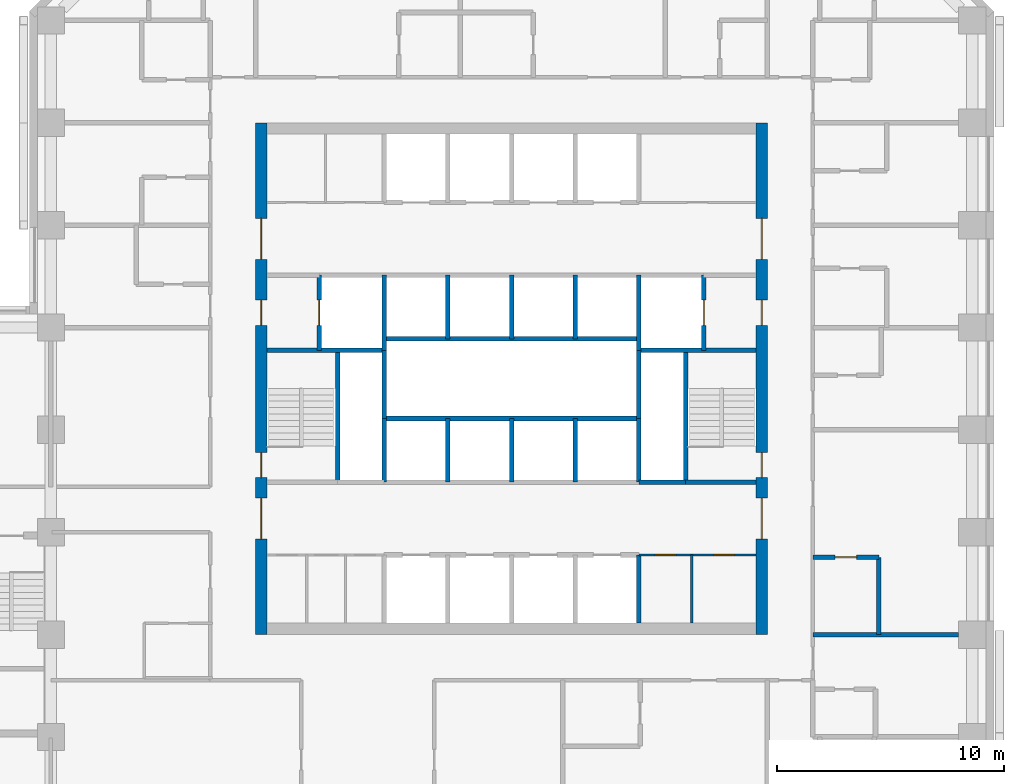
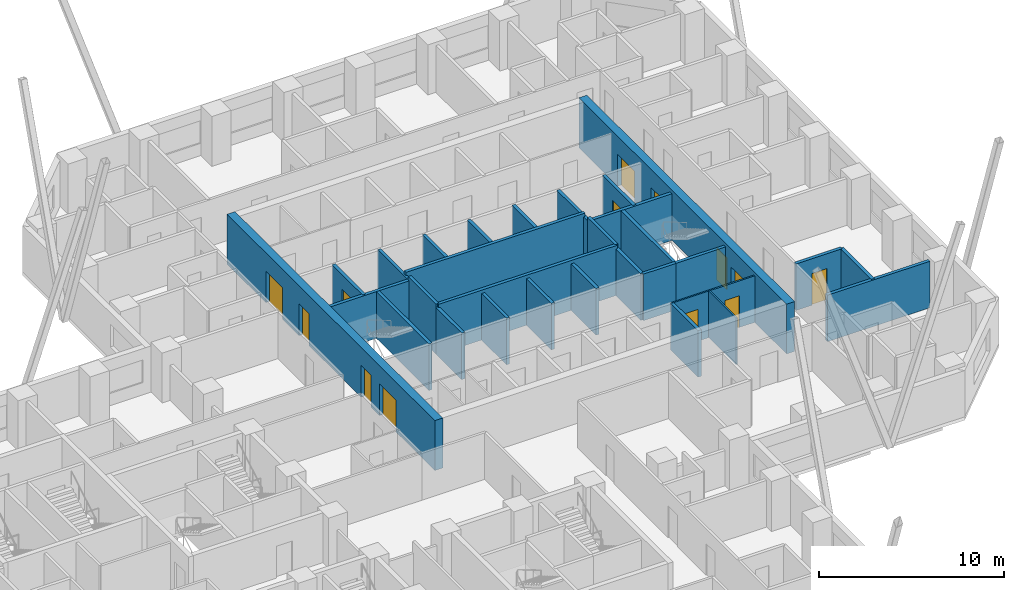
# One storey, part 9 of 13: 30 walls, 13 doors, 13 openings.
"""IFC4 building model written with IfcOpenShell, lengths in metres."""

from ifc_helpers import new_model, si_unit, direction, frame, frame_2d, origin, place, context, subcontext, project, spatial, rectangle, extrude, material, layer, layer_set, type_object, element, fill, save


model = new_model("IFC4")

# Units and contexts
model_context = context("Model", 3, precision=1e-05, world=origin(), true_north=direction((0.0, 1.0)))
body_context = subcontext(model_context, "Body", "Model", "MODEL_VIEW")
ifc_project = project(units=[si_unit("LENGTHUNIT", "METRE"), si_unit("AREAUNIT", "SQUARE_METRE"), si_unit("VOLUMEUNIT", "CUBIC_METRE"), si_unit("PLANEANGLEUNIT", "RADIAN"), si_unit("MASSUNIT", "GRAM", prefix="KILO")], contexts=[model_context])

# Site, building, storey
site_placement = place(None, origin())
site = spatial("IfcSite", under=ifc_project, at=site_placement, CompositionType="ELEMENT")
building_placement = place(site_placement, origin())
building = spatial("IfcBuilding", under=site, at=building_placement, Name="Quoin Convention Tower", CompositionType="ELEMENT")
storey_placement = place(building_placement, frame((0.0, 0.0, 52.800048828125)))
storey = spatial("IfcBuildingStorey", under=building, at=storey_placement, Name="L13", CompositionType="ELEMENT", Elevation=52.800048828125)

# Wall, openings, doors
ifc_material_1 = material(Name="Plasterboard")
ifc_layer_1 = layer(ifc_material_1, 0.012451171875, Name="Finish")
ifc_material_2 = material(Name="Steel stud framing", Category="steel")
ifc_layer_2 = layer(ifc_material_2, 0.074951171875, Name="Structure")
ifc_layer_3 = layer(ifc_material_1, 0.012451171875, Name="Finish")
ifc_layer_set_1 = layer_set([ifc_layer_1, ifc_layer_2, ifc_layer_3], Name="Steel stud framing")
wall_type_1 = type_object("IfcWallType", Name="Core partition wall", PredefinedType="PARTITIONING", material=ifc_layer_set_1)
wall_1_placement = place(storey_placement, frame((61.85009765625, 53.0, 0.0), z_axis=(0.0, 0.0, 1.0), x_axis=(1.0, 0.0, 0.0)))
wall_1 = element("IfcWall", 1, at=wall_1_placement, inside=storey, type_object=wall_type_1, Name="cr-C1-L13-h3500_16850", PredefinedType="PARTITIONING", context=body_context, shape_type="SweptSolid", body=[
    extrude(rectangle(XDim=5.14990234375, YDim=0.10009765625, at=frame_2d((2.574951171875, 0.0))), origin(), (0.0, 0.0, 1.0), 3.079833984375),
])
opening_1_placement = place(wall_1_placement, frame((3.28369140625, 0.0, 0.0)))
opening_1 = element("IfcOpeningElement", 2, at=opening_1_placement, cuts=wall_1, Name="Opening DCV5-22", PredefinedType="OPENING", context=body_context, shape_type="SweptSolid", body=[
    extrude(rectangle(XDim=0.89990234375, YDim=2.10009765625, at=frame_2d((0.449951171875, 1.050048828125))), frame((0.0, 0.06005859375, 0.0), z_axis=(0.0, -1.0, 0.0), x_axis=(1.0, 0.0, 0.0)), (0.0, 0.0, 1.0), 0.1201171875),
])
opening_2_placement = place(wall_1_placement, frame((0.708740234375, 0.0, 0.0)))
opening_2 = element("IfcOpeningElement", 3, at=opening_2_placement, cuts=wall_1, Name="Opening DCV5-20", PredefinedType="OPENING", context=body_context, shape_type="SweptSolid", body=[
    extrude(rectangle(XDim=0.89990234375, YDim=2.10009765625, at=frame_2d((0.449951171875, 1.050048828125))), frame((0.0, 0.06005859375, 0.0), z_axis=(0.0, -1.0, 0.0), x_axis=(1.0, 0.0, 0.0)), (0.0, 0.0, 1.0), 0.1201171875),
])
ifc_material_3 = material(Name="Steel door leaf", Category="steel")
door_type_1 = type_object("IfcDoorType", Name="Core room door 900 x 2100", OperationType="SINGLE_SWING_LEFT", PredefinedType="DOOR", material=ifc_material_3)
door_1_placement = place(opening_1_placement, frame((0.89990234375, 0.0, 0.0), z_axis=(0.0, 0.0, 1.0), x_axis=(-1.0, 0.0, 0.0)))
door_1 = element("IfcDoor", 4, at=door_1_placement, inside=storey, type_object=door_type_1, Name="cd-C1-L13-CSE0-lobA-CD1310", OperationType="SINGLE_SWING_LEFT", OverallHeight=2.10009765625, OverallWidth=0.89990234375, PredefinedType="DOOR", context=body_context, shape_type="SweptSolid", body=[
    extrude(rectangle(XDim=0.89990234375, YDim=2.10009765625, at=frame_2d((0.449951171875, 1.050048828125))), frame((0.0, 0.02490234375, 0.0), z_axis=(0.0, -1.0, 0.0), x_axis=(1.0, 0.0, 0.0)), (0.0, 0.0, 1.0), 0.050048828125),
])
fill(opening_1, door_1)
door_2_placement = place(opening_2_placement, frame((0.89990234375, 0.0, 0.0), z_axis=(0.0, 0.0, 1.0), x_axis=(-1.0, 0.0, 0.0)))
door_2 = element("IfcDoor", 5, at=door_2_placement, inside=storey, type_object=door_type_1, Name="cd-C1-L13-CSE1-lobA-CD1311", OperationType="SINGLE_SWING_RIGHT", OverallHeight=2.10009765625, OverallWidth=0.89990234375, PredefinedType="DOOR", context=body_context, shape_type="SweptSolid", body=[
    extrude(rectangle(XDim=0.89990234375, YDim=2.10009765625, at=frame_2d((0.449951171875, 1.050048828125))), frame((0.0, 0.02490234375, 0.0), z_axis=(0.0, -1.0, 0.0), x_axis=(1.0, 0.0, 0.0)), (0.0, 0.0, 1.0), 0.050048828125),
])
fill(opening_2, door_2)

# Walls
wall_2_placement = place(storey_placement, frame((64.16748046875, 50.0, 0.0), z_axis=(0.0, 0.0, 1.0), x_axis=(0.0, 1.0, 0.0)))
element("IfcWall", 6, at=wall_2_placement, inside=storey, type_object=wall_type_1, Name="cr-C1-L13-v19168_500", PredefinedType="PARTITIONING", context=body_context, shape_type="SweptSolid", body=[
    extrude(rectangle(XDim=3.0, YDim=0.10009765625, at=frame_2d((1.5, 0.0))), origin(), (0.0, 0.0, 1.0), 3.079833984375),
])
ifc_material_4 = material(Name="Concrete C50", Category="concrete")
ifc_layer_4 = layer(ifc_material_4, 0.199951171875)
ifc_layer_set_2 = layer_set([ifc_layer_4], Name="Concrete C50")
wall_type_2 = type_object("IfcWallType", Name="Core shaft wall", PredefinedType="SOLIDWALL", material=ifc_layer_set_2)
wall_3_placement = place(storey_placement, frame((61.85009765625, 56.199951171875, 0.0), z_axis=(0.0, 0.0, 1.0), x_axis=(1.0, 0.0, 0.0)))
element("IfcWall", 7, at=wall_3_placement, inside=storey, type_object=wall_type_2, Name="cr-C1-L13-h6700_16850", PredefinedType="SOLIDWALL", context=body_context, shape_type="SweptSolid", body=[
    extrude(rectangle(XDim=2.0498046875, YDim=0.199951171875, at=frame_2d((1.02490234375, 0.0))), origin(), (0.0, 0.0, 1.0), 3.079833984375),
])
wall_4_placement = place(storey_placement, frame((63.89990234375, 56.199951171875, 0.0), z_axis=(0.0, 0.0, 1.0), x_axis=(1.0, 0.0, 0.0)))
element("IfcWall", 8, at=wall_4_placement, inside=storey, type_object=wall_type_2, Name="cr-C1-L13-h6700_18900", PredefinedType="SOLIDWALL", context=body_context, shape_type="SweptSolid", body=[
    extrude(rectangle(XDim=3.10009765625, YDim=0.199951171875, at=frame_2d((1.550048828125, 0.0))), origin(), (0.0, 0.0, 1.0), 3.079833984375),
])
for number, where, z_axis, x_axis, name in (
    (9, (45.5, 62.0, 0.0), (0.0, 0.0, 1.0), (1.0, 0.0, 0.0), "cr-C1-L13-h12500_500"),
    (10, (61.85009765625, 62.0, 0.0), (0.0, 0.0, 1.0), (1.0, 0.0, 0.0), "cr-C1-L13-h12500_16850"),
):
    element("IfcWall", number, at=place(storey_placement, frame(where, z_axis=z_axis, x_axis=x_axis)), inside=storey, type_object=wall_type_2, Name=name, PredefinedType="SOLIDWALL", context=body_context, shape_type="SweptSolid", body=[
        extrude(rectangle(XDim=5.14990234375, YDim=0.199951171875, at=frame_2d((2.574951171875, 0.0))), origin(), (0.0, 0.0, 1.0), 3.079833984375),
    ])

# Wall, opening, door
wall_5_placement = place(storey_placement, frame((47.800048828125, 62.0, 0.0), z_axis=(0.0, 0.0, 1.0), x_axis=(0.0, 1.0, 0.0)))
wall_5 = element("IfcWall", 11, at=wall_5_placement, inside=storey, type_object=wall_type_2, Name="cr-C1-L13-v2800_12500", PredefinedType="SOLIDWALL", context=body_context, shape_type="SweptSolid", body=[
    extrude(rectangle(XDim=3.300048828125, YDim=0.199951171875, at=frame_2d((1.64990234375, 0.0))), origin(), (0.0, 0.0, 1.0), 3.079833984375),
])
opening_3_placement = place(wall_5_placement, frame((1.10009765625, 0.0, 0.0)))
opening_3 = element("IfcOpeningElement", 12, at=opening_3_placement, cuts=wall_5, Name="Opening LDFL1", PredefinedType="OPENING", context=body_context, shape_type="SweptSolid", body=[
    extrude(rectangle(XDim=1.10009765625, YDim=2.10009765625, at=frame_2d((0.550048828125, 1.050048828125))), frame((0.0, 0.10986328125, 0.0), z_axis=(0.0, -1.0, 0.0), x_axis=(1.0, 0.0, 0.0)), (0.0, 0.0, 1.0), 0.219970703125),
])
door_type_2 = type_object("IfcDoorType", Name="Lift landing door 1100 x 2100", OperationType="DOUBLE_DOOR_SLIDING", PredefinedType="DOOR", material=ifc_material_3)
door_3_placement = place(opening_3_placement, origin())
door_3 = element("IfcDoor", 13, at=door_3_placement, inside=storey, type_object=door_type_2, Name="cd-C1-L13-FLW-FFW-LDFL1", OperationType="DOUBLE_DOOR_SLIDING", OverallHeight=2.10009765625, OverallWidth=1.10009765625, PredefinedType="DOOR", context=body_context, shape_type="SweptSolid", body=[
    extrude(rectangle(XDim=1.10009765625, YDim=2.10009765625, at=frame_2d((0.550048828125, 1.050048828125))), frame((0.0, 0.02490234375, 0.0), z_axis=(0.0, -1.0, 0.0), x_axis=(1.0, 0.0, 0.0)), (0.0, 0.0, 1.0), 0.050048828125),
])
fill(opening_3, door_3)

# Walls
wall_6_placement = place(storey_placement, frame((48.60009765625, 56.199951171875, 0.0), z_axis=(0.0, 0.0, 1.0), x_axis=(0.0, 1.0, 0.0)))
element("IfcWall", 14, at=wall_6_placement, inside=storey, type_object=wall_type_2, Name="cr-C1-L13-v3600_6700", PredefinedType="SOLIDWALL", context=body_context, shape_type="SweptSolid", body=[
    extrude(rectangle(XDim=5.800048828125, YDim=0.199951171875, at=frame_2d((2.89990234375, 0.0))), origin(), (0.0, 0.0, 1.0), 3.079833984375),
])
wall_7_placement = place(storey_placement, frame((50.64990234375, 56.199951171875, 0.0), z_axis=(0.0, 0.0, 1.0), x_axis=(0.0, 1.0, 0.0)))
element("IfcWall", 15, at=wall_7_placement, inside=storey, type_object=wall_type_2, Name="cr-C1-L13-v5650_6700", PredefinedType="SOLIDWALL", context=body_context, shape_type="SweptSolid", body=[
    extrude(rectangle(XDim=2.800048828125, YDim=0.199951171875, at=frame_2d((1.39990234375, 0.0))), origin(), (0.0, 0.0, 1.0), 3.079833984375),
])
wall_8_placement = place(storey_placement, frame((50.64990234375, 62.0, 0.0), z_axis=(0.0, 0.0, 1.0), x_axis=(0.0, 1.0, 0.0)))
element("IfcWall", 16, at=wall_8_placement, inside=storey, type_object=wall_type_2, Name="cr-C1-L13-v5650_12500", PredefinedType="SOLIDWALL", context=body_context, shape_type="SweptSolid", body=[
    extrude(rectangle(XDim=3.300048828125, YDim=0.199951171875, at=frame_2d((1.64990234375, 0.0))), origin(), (0.0, 0.0, 1.0), 3.079833984375),
])
for number, where, z_axis, x_axis, name in (
    (17, (53.449951171875, 56.199951171875, 0.0), (0.0, 0.0, 1.0), (0.0, 1.0, 0.0), "cr-C1-L13-v8450_6700"),
    (18, (53.449951171875, 62.5, 0.0), (0.0, 0.0, 1.0), (0.0, 1.0, 0.0), "cr-C1-L13-v8450_13000"),
    (19, (56.25, 56.199951171875, 0.0), (0.0, 0.0, 1.0), (0.0, 1.0, 0.0), "cr-C1-L13-v11250_6700"),
    (20, (56.25, 62.5, 0.0), (0.0, 0.0, 1.0), (0.0, 1.0, 0.0), "cr-C1-L13-v11250_13000"),
    (21, (59.050048828125, 56.199951171875, 0.0), (0.0, 0.0, 1.0), (0.0, 1.0, 0.0), "cr-C1-L13-v14050_6700"),
    (22, (59.050048828125, 62.5, 0.0), (0.0, 0.0, 1.0), (0.0, 1.0, 0.0), "cr-C1-L13-v14050_13000"),
):
    element("IfcWall", number, at=place(storey_placement, frame(where, z_axis=z_axis, x_axis=x_axis)), inside=storey, type_object=wall_type_2, Name=name, PredefinedType="SOLIDWALL", context=body_context, shape_type="SweptSolid", body=[
        extrude(rectangle(XDim=2.800048828125, YDim=0.199951171875, at=frame_2d((1.39990234375, 0.0))), origin(), (0.0, 0.0, 1.0), 3.079833984375),
    ])
wall_9_placement = place(storey_placement, frame((61.85009765625, 50.0, 0.0), z_axis=(0.0, 0.0, 1.0), x_axis=(0.0, 1.0, 0.0)))
element("IfcWall", 23, at=wall_9_placement, inside=storey, type_object=wall_type_2, Name="cr-C1-L13-v16850_500", PredefinedType="SOLIDWALL", context=body_context, shape_type="SweptSolid", body=[
    extrude(rectangle(XDim=3.0, YDim=0.199951171875, at=frame_2d((1.5, 0.0))), origin(), (0.0, 0.0, 1.0), 3.079833984375),
])
wall_10_placement = place(storey_placement, frame((61.85009765625, 56.199951171875, 0.0), z_axis=(0.0, 0.0, 1.0), x_axis=(0.0, 1.0, 0.0)))
element("IfcWall", 24, at=wall_10_placement, inside=storey, type_object=wall_type_2, Name="cr-C1-L13-v16850_6700", PredefinedType="SOLIDWALL", context=body_context, shape_type="SweptSolid", body=[
    extrude(rectangle(XDim=2.800048828125, YDim=0.199951171875, at=frame_2d((1.39990234375, 0.0))), origin(), (0.0, 0.0, 1.0), 3.079833984375),
])
wall_11_placement = place(storey_placement, frame((61.85009765625, 62.0, 0.0), z_axis=(0.0, 0.0, 1.0), x_axis=(0.0, 1.0, 0.0)))
element("IfcWall", 25, at=wall_11_placement, inside=storey, type_object=wall_type_2, Name="cr-C1-L13-v16850_12500", PredefinedType="SOLIDWALL", context=body_context, shape_type="SweptSolid", body=[
    extrude(rectangle(XDim=3.300048828125, YDim=0.199951171875, at=frame_2d((1.64990234375, 0.0))), origin(), (0.0, 0.0, 1.0), 3.079833984375),
])
wall_12_placement = place(storey_placement, frame((63.89990234375, 56.199951171875, 0.0), z_axis=(0.0, 0.0, 1.0), x_axis=(0.0, 1.0, 0.0)))
element("IfcWall", 26, at=wall_12_placement, inside=storey, type_object=wall_type_2, Name="cr-C1-L13-v18900_6700", PredefinedType="SOLIDWALL", context=body_context, shape_type="SweptSolid", body=[
    extrude(rectangle(XDim=5.800048828125, YDim=0.199951171875, at=frame_2d((2.89990234375, 0.0))), origin(), (0.0, 0.0, 1.0), 3.079833984375),
])

# Wall, opening, door
wall_13_placement = place(storey_placement, frame((64.699951171875, 62.0, 0.0), z_axis=(0.0, 0.0, 1.0), x_axis=(0.0, 1.0, 0.0)))
wall_13 = element("IfcWall", 27, at=wall_13_placement, inside=storey, type_object=wall_type_2, Name="cr-C1-L13-v19700_12500", PredefinedType="SOLIDWALL", context=body_context, shape_type="SweptSolid", body=[
    extrude(rectangle(XDim=3.300048828125, YDim=0.199951171875, at=frame_2d((1.64990234375, 0.0))), origin(), (0.0, 0.0, 1.0), 3.079833984375),
])
opening_4_placement = place(wall_13_placement, frame((1.10009765625, 0.0, 0.0)))
opening_4 = element("IfcOpeningElement", 28, at=opening_4_placement, cuts=wall_13, Name="Opening LDFL2", PredefinedType="OPENING", context=body_context, shape_type="SweptSolid", body=[
    extrude(rectangle(XDim=1.10009765625, YDim=2.10009765625, at=frame_2d((0.550048828125, 1.050048828125))), frame((0.0, 0.10986328125, 0.0), z_axis=(0.0, -1.0, 0.0), x_axis=(1.0, 0.0, 0.0)), (0.0, 0.0, 1.0), 0.219970703125),
])
door_4_placement = place(opening_4_placement, origin())
door_4 = element("IfcDoor", 29, at=door_4_placement, inside=storey, type_object=door_type_2, Name="cd-C1-L13-FLE-FFE-LDFL2", OperationType="DOUBLE_DOOR_SLIDING", OverallHeight=2.10009765625, OverallWidth=1.10009765625, PredefinedType="DOOR", context=body_context, shape_type="SweptSolid", body=[
    extrude(rectangle(XDim=1.10009765625, YDim=2.10009765625, at=frame_2d((0.550048828125, 1.050048828125))), frame((0.0, 0.02490234375, 0.0), z_axis=(0.0, -1.0, 0.0), x_axis=(1.0, 0.0, 0.0)), (0.0, 0.0, 1.0), 0.050048828125),
])
fill(opening_4, door_4)

# Walls
ifc_layer_5 = layer(ifc_material_4, 0.199951171875)
ifc_layer_set_3 = layer_set([ifc_layer_5], Name="Concrete C50")
wall_type_3 = type_object("IfcWallType", Name="Core shaft wall to the floor level over", PredefinedType="SOLIDWALL", material=ifc_layer_set_3)
for number, where, z_axis, x_axis, name in (
    (30, (50.64990234375, 59.0, 0.0), (0.0, 0.0, 1.0), (1.0, 0.0, 0.0), "cr-C1-L13-h9500_5650"),
    (31, (50.64990234375, 62.5, 0.0), (0.0, 0.0, 1.0), (1.0, 0.0, 0.0), "cr-C1-L13-h13000_5650"),
):
    element("IfcWall", number, at=place(storey_placement, frame(where, z_axis=z_axis, x_axis=x_axis)), inside=storey, type_object=wall_type_3, Name=name, PredefinedType="SOLIDWALL", context=body_context, shape_type="SweptSolid", body=[
        extrude(rectangle(XDim=11.2001953125, YDim=0.199951171875, at=frame_2d((5.60009765625, 0.0))), origin(), (0.0, 0.0, 1.0), 3.300048828125),
    ])
for number, where, z_axis, x_axis, name in (
    (32, (50.64990234375, 59.0, 0.0), (0.0, 0.0, 1.0), (0.0, 1.0, 0.0), "cr-C1-L13-v5650_9500"),
    (33, (61.85009765625, 59.0, 0.0), (0.0, 0.0, 1.0), (0.0, 1.0, 0.0), "cr-C1-L13-v16850_9500"),
):
    element("IfcWall", number, at=place(storey_placement, frame(where, z_axis=z_axis, x_axis=x_axis)), inside=storey, type_object=wall_type_3, Name=name, PredefinedType="SOLIDWALL", context=body_context, shape_type="SweptSolid", body=[
        extrude(rectangle(XDim=3.0, YDim=0.199951171875, at=frame_2d((1.5, 0.0))), origin(), (0.0, 0.0, 1.0), 3.300048828125),
    ])

# Wall, openings, doors
ifc_material_5 = material(Name="Concrete C80", Category="concrete")
ifc_layer_6 = layer(ifc_material_5, 0.5)
ifc_layer_set_4 = layer_set([ifc_layer_6], Name="Concrete C80")
wall_type_4 = type_object("IfcWallType", Name="RC CORE WALL 500 C80", PredefinedType="SHEAR", material=ifc_layer_set_4)
wall_14_placement = place(storey_placement, frame((45.25, 49.5, 0.0), z_axis=(0.0, 0.0, 1.0), x_axis=(0.0, 1.0, 0.0)))
wall_14 = element("IfcWall", 34, at=wall_14_placement, inside=storey, type_object=wall_type_4, Name="cwl-C1-L13-W", PredefinedType="SHEAR", context=body_context, shape_type="SweptSolid", body=[
    extrude(rectangle(XDim=22.5, YDim=0.5, at=frame_2d((11.25, 0.0))), origin(), (0.0, 0.0, 1.0), 3.300048828125),
])
opening_5_placement = place(wall_14_placement, frame((4.199951171875, 0.0, 0.0)))
opening_5 = element("IfcOpeningElement", 35, at=opening_5_placement, cuts=wall_14, Name="Opening DCV5-50", PredefinedType="OPENING", context=body_context, shape_type="SweptSolid", body=[
    extrude(rectangle(XDim=1.800048828125, YDim=2.10009765625, at=frame_2d((0.89990234375, 1.050048828125))), frame((0.0, 0.260009765625, 0.0), z_axis=(0.0, -1.0, 0.0), x_axis=(1.0, 0.0, 0.0)), (0.0, 0.0, 1.0), 0.52001953125),
])
opening_6_placement = place(wall_14_placement, frame((6.89990234375, 0.0, 0.0)))
opening_6 = element("IfcOpeningElement", 36, at=opening_6_placement, cuts=wall_14, Name="Opening SD1", PredefinedType="OPENING", context=body_context, shape_type="SweptSolid", body=[
    extrude(rectangle(XDim=1.10009765625, YDim=2.10009765625, at=frame_2d((0.550048828125, 1.050048828125))), frame((0.0, 0.260009765625, 0.0), z_axis=(0.0, -1.0, 0.0), x_axis=(1.0, 0.0, 0.0)), (0.0, 0.0, 1.0), 0.52001953125),
])
opening_7_placement = place(wall_14_placement, frame((13.60009765625, 0.0, 0.0)))
opening_7 = element("IfcOpeningElement", 37, at=opening_7_placement, cuts=wall_14, Name="Opening DCV5-49", PredefinedType="OPENING", context=body_context, shape_type="SweptSolid", body=[
    extrude(rectangle(XDim=1.10009765625, YDim=2.10009765625, at=frame_2d((0.550048828125, 1.050048828125))), frame((0.0, 0.260009765625, 0.0), z_axis=(0.0, -1.0, 0.0), x_axis=(1.0, 0.0, 0.0)), (0.0, 0.0, 1.0), 0.52001953125),
])
opening_8_placement = place(wall_14_placement, frame((16.5, 0.0, 0.0)))
opening_8 = element("IfcOpeningElement", 38, at=opening_8_placement, cuts=wall_14, Name="Opening DCV5-50", PredefinedType="OPENING", context=body_context, shape_type="SweptSolid", body=[
    extrude(rectangle(XDim=1.800048828125, YDim=2.10009765625, at=frame_2d((0.89990234375, 1.050048828125))), frame((0.0, 0.260009765625, 0.0), z_axis=(0.0, -1.0, 0.0), x_axis=(1.0, 0.0, 0.0)), (0.0, 0.0, 1.0), 0.52001953125),
])
door_type_3 = type_object("IfcDoorType", Name="Fire-fighting lobby door 1100 x 2100", OperationType="SINGLE_SWING_LEFT", PredefinedType="DOOR", material=ifc_material_3)
door_5_placement = place(opening_7_placement, frame((1.10009765625, 0.0, 0.0), z_axis=(0.0, 0.0, 1.0), x_axis=(-1.0, 0.0, 0.0)))
door_5 = element("IfcDoor", 39, at=door_5_placement, inside=storey, type_object=door_type_3, Name="cd-C1-L13-FFW-W", OperationType="SINGLE_SWING_LEFT", OverallHeight=2.10009765625, OverallWidth=1.10009765625, PredefinedType="DOOR", context=body_context, shape_type="SweptSolid", body=[
    extrude(rectangle(XDim=1.10009765625, YDim=2.10009765625, at=frame_2d((0.550048828125, 1.050048828125))), frame((0.0, 0.02490234375, 0.0), z_axis=(0.0, -1.0, 0.0), x_axis=(1.0, 0.0, 0.0)), (0.0, 0.0, 1.0), 0.050048828125),
])
fill(opening_7, door_5)
door_type_4 = type_object("IfcDoorType", Name="Lift lobby door 1800 x 2100", OperationType="SINGLE_SWING_LEFT", PredefinedType="DOOR", material=ifc_material_3)
door_6_placement = place(opening_5_placement, frame((1.800048828125, 0.0, 0.0), z_axis=(0.0, 0.0, 1.0), x_axis=(-1.0, 0.0, 0.0)))
door_6 = element("IfcDoor", 40, at=door_6_placement, inside=storey, type_object=door_type_4, Name="cd-C1-L13-lobA-W", OperationType="SINGLE_SWING_LEFT", OverallHeight=2.10009765625, OverallWidth=1.800048828125, PredefinedType="DOOR", context=body_context, shape_type="SweptSolid", body=[
    extrude(rectangle(XDim=1.800048828125, YDim=2.10009765625, at=frame_2d((0.89990234375, 1.050048828125))), frame((0.0, 0.02490234375, 0.0), z_axis=(0.0, -1.0, 0.0), x_axis=(1.0, 0.0, 0.0)), (0.0, 0.0, 1.0), 0.050048828125),
])
fill(opening_5, door_6)
door_7_placement = place(opening_8_placement, frame((1.800048828125, 0.0, 0.0), z_axis=(0.0, 0.0, 1.0), x_axis=(-1.0, 0.0, 0.0)))
door_7 = element("IfcDoor", 41, at=door_7_placement, inside=storey, type_object=door_type_4, Name="cd-C1-L13-lobB-W", OperationType="SINGLE_SWING_LEFT", OverallHeight=2.10009765625, OverallWidth=1.800048828125, PredefinedType="DOOR", context=body_context, shape_type="SweptSolid", body=[
    extrude(rectangle(XDim=1.800048828125, YDim=2.10009765625, at=frame_2d((0.89990234375, 1.050048828125))), frame((0.0, 0.02490234375, 0.0), z_axis=(0.0, -1.0, 0.0), x_axis=(1.0, 0.0, 0.0)), (0.0, 0.0, 1.0), 0.050048828125),
])
fill(opening_8, door_7)
door_type_5 = type_object("IfcDoorType", Name="Stair door 1100 x 2100", OperationType="SINGLE_SWING_RIGHT", PredefinedType="DOOR", material=ifc_material_3)
door_8_placement = place(opening_6_placement, frame((1.10009765625, 0.0, 0.0), z_axis=(0.0, 0.0, 1.0), x_axis=(-1.0, 0.0, 0.0)))
door_8 = element("IfcDoor", 42, at=door_8_placement, inside=storey, type_object=door_type_5, Name="cd-C1-L13-STW-W", OperationType="SINGLE_SWING_RIGHT", OverallHeight=2.10009765625, OverallWidth=1.10009765625, PredefinedType="DOOR", context=body_context, shape_type="SweptSolid", body=[
    extrude(rectangle(XDim=1.10009765625, YDim=2.10009765625, at=frame_2d((0.550048828125, 1.050048828125))), frame((0.0, 0.02490234375, 0.0), z_axis=(0.0, -1.0, 0.0), x_axis=(1.0, 0.0, 0.0)), (0.0, 0.0, 1.0), 0.050048828125),
])
fill(opening_6, door_8)

wall_15_placement = place(storey_placement, frame((67.25, 49.5, 0.0), z_axis=(0.0, 0.0, 1.0), x_axis=(0.0, 1.0, 0.0)))
wall_15 = element("IfcWall", 43, at=wall_15_placement, inside=storey, type_object=wall_type_4, Name="cwl-C1-L13-E", PredefinedType="SHEAR", context=body_context, shape_type="SweptSolid", body=[
    extrude(rectangle(XDim=22.5, YDim=0.5, at=frame_2d((11.25, 0.0))), origin(), (0.0, 0.0, 1.0), 3.300048828125),
])
opening_9_placement = place(wall_15_placement, frame((4.199951171875, 0.0, 0.0)))
opening_9 = element("IfcOpeningElement", 44, at=opening_9_placement, cuts=wall_15, Name="Opening DCV5-48", PredefinedType="OPENING", context=body_context, shape_type="SweptSolid", body=[
    extrude(rectangle(XDim=1.800048828125, YDim=2.10009765625, at=frame_2d((0.89990234375, 1.050048828125))), frame((0.0, 0.260009765625, 0.0), z_axis=(0.0, -1.0, 0.0), x_axis=(1.0, 0.0, 0.0)), (0.0, 0.0, 1.0), 0.52001953125),
])
opening_10_placement = place(wall_15_placement, frame((6.89990234375, 0.0, 0.0)))
opening_10 = element("IfcOpeningElement", 45, at=opening_10_placement, cuts=wall_15, Name="Opening SD2", PredefinedType="OPENING", context=body_context, shape_type="SweptSolid", body=[
    extrude(rectangle(XDim=1.10009765625, YDim=2.10009765625, at=frame_2d((0.550048828125, 1.050048828125))), frame((0.0, 0.260009765625, 0.0), z_axis=(0.0, -1.0, 0.0), x_axis=(1.0, 0.0, 0.0)), (0.0, 0.0, 1.0), 0.52001953125),
])
opening_11_placement = place(wall_15_placement, frame((13.60009765625, 0.0, 0.0)))
opening_11 = element("IfcOpeningElement", 46, at=opening_11_placement, cuts=wall_15, Name="Opening DCV5-47", PredefinedType="OPENING", context=body_context, shape_type="SweptSolid", body=[
    extrude(rectangle(XDim=1.10009765625, YDim=2.10009765625, at=frame_2d((0.550048828125, 1.050048828125))), frame((0.0, 0.260009765625, 0.0), z_axis=(0.0, -1.0, 0.0), x_axis=(1.0, 0.0, 0.0)), (0.0, 0.0, 1.0), 0.52001953125),
])
opening_12_placement = place(wall_15_placement, frame((16.5, 0.0, 0.0)))
opening_12 = element("IfcOpeningElement", 47, at=opening_12_placement, cuts=wall_15, Name="Opening DCV5-48", PredefinedType="OPENING", context=body_context, shape_type="SweptSolid", body=[
    extrude(rectangle(XDim=1.800048828125, YDim=2.10009765625, at=frame_2d((0.89990234375, 1.050048828125))), frame((0.0, 0.260009765625, 0.0), z_axis=(0.0, -1.0, 0.0), x_axis=(1.0, 0.0, 0.0)), (0.0, 0.0, 1.0), 0.52001953125),
])
door_9_placement = place(opening_11_placement, origin())
door_9 = element("IfcDoor", 48, at=door_9_placement, inside=storey, type_object=door_type_3, Name="cd-C1-L13-FFE-E", OperationType="SINGLE_SWING_RIGHT", OverallHeight=2.10009765625, OverallWidth=1.10009765625, PredefinedType="DOOR", context=body_context, shape_type="SweptSolid", body=[
    extrude(rectangle(XDim=1.10009765625, YDim=2.10009765625, at=frame_2d((0.550048828125, 1.050048828125))), frame((0.0, 0.02490234375, 0.0), z_axis=(0.0, -1.0, 0.0), x_axis=(1.0, 0.0, 0.0)), (0.0, 0.0, 1.0), 0.050048828125),
])
fill(opening_11, door_9)
door_10_placement = place(opening_9_placement, origin())
door_10 = element("IfcDoor", 49, at=door_10_placement, inside=storey, type_object=door_type_4, Name="cd-C1-L13-lobA-E", OperationType="SINGLE_SWING_RIGHT", OverallHeight=2.10009765625, OverallWidth=1.800048828125, PredefinedType="DOOR", context=body_context, shape_type="SweptSolid", body=[
    extrude(rectangle(XDim=1.800048828125, YDim=2.10009765625, at=frame_2d((0.89990234375, 1.050048828125))), frame((0.0, 0.02490234375, 0.0), z_axis=(0.0, -1.0, 0.0), x_axis=(1.0, 0.0, 0.0)), (0.0, 0.0, 1.0), 0.050048828125),
])
fill(opening_9, door_10)
door_11_placement = place(opening_12_placement, origin())
door_11 = element("IfcDoor", 50, at=door_11_placement, inside=storey, type_object=door_type_4, Name="cd-C1-L13-lobB-E", OperationType="SINGLE_SWING_RIGHT", OverallHeight=2.10009765625, OverallWidth=1.800048828125, PredefinedType="DOOR", context=body_context, shape_type="SweptSolid", body=[
    extrude(rectangle(XDim=1.800048828125, YDim=2.10009765625, at=frame_2d((0.89990234375, 1.050048828125))), frame((0.0, 0.02490234375, 0.0), z_axis=(0.0, -1.0, 0.0), x_axis=(1.0, 0.0, 0.0)), (0.0, 0.0, 1.0), 0.050048828125),
])
fill(opening_12, door_11)
door_12_placement = place(opening_10_placement, origin())
door_12 = element("IfcDoor", 51, at=door_12_placement, inside=storey, type_object=door_type_5, Name="cd-C1-L13-STE-E", OperationType="SINGLE_SWING_LEFT", OverallHeight=2.10009765625, OverallWidth=1.10009765625, PredefinedType="DOOR", context=body_context, shape_type="SweptSolid", body=[
    extrude(rectangle(XDim=1.10009765625, YDim=2.10009765625, at=frame_2d((0.550048828125, 1.050048828125))), frame((0.0, 0.02490234375, 0.0), z_axis=(0.0, -1.0, 0.0), x_axis=(1.0, 0.0, 0.0)), (0.0, 0.0, 1.0), 0.050048828125),
])
fill(opening_10, door_12)

# Walls
ifc_layer_7 = layer(ifc_material_4, 0.199951171875)
ifc_layer_set_5 = layer_set([ifc_layer_7], Name="Concrete C50")
wall_type_5 = type_object("IfcWallType", Name="RC party wall", PredefinedType="SOLIDWALL", material=ifc_layer_set_5)
wall_16_placement = place(storey_placement, frame((69.5, 49.5, 0.0), z_axis=(0.0, 0.0, 1.0), x_axis=(1.0, 0.0, 0.0)))
element("IfcWall", 52, at=wall_16_placement, inside=storey, type_object=wall_type_5, Name="pw-L13-089", PredefinedType="SOLIDWALL", context=body_context, shape_type="SweptSolid", body=[
    extrude(rectangle(XDim=6.39990234375, YDim=0.199951171875, at=frame_2d((3.199951171875, 0.0))), origin(), (0.0, 0.0, 1.0), 3.079833984375),
])
wall_17_placement = place(storey_placement, frame((72.39990234375, 49.5, 0.0), z_axis=(0.0, 0.0, 1.0), x_axis=(0.0, 1.0, 0.0)))
element("IfcWall", 53, at=wall_17_placement, inside=storey, type_object=wall_type_5, Name="pw-L13-090", PredefinedType="SOLIDWALL", context=body_context, shape_type="SweptSolid", body=[
    extrude(rectangle(XDim=3.39990234375, YDim=0.199951171875, at=frame_2d((1.699951171875, 0.0))), origin(), (0.0, 0.0, 1.0), 3.079833984375),
])

# Wall, opening, door
wall_18_placement = place(storey_placement, frame((69.5, 52.89990234375, 0.0), z_axis=(0.0, 0.0, 1.0), x_axis=(1.0, 0.0, 0.0)))
wall_18 = element("IfcWall", 54, at=wall_18_placement, inside=storey, type_object=wall_type_5, Name="pw-L13-091", PredefinedType="SOLIDWALL", context=body_context, shape_type="SweptSolid", body=[
    extrude(rectangle(XDim=2.89990234375, YDim=0.199951171875, at=frame_2d((1.449951171875, 0.0))), origin(), (0.0, 0.0, 1.0), 3.079833984375),
])
opening_13_placement = place(wall_18_placement, frame((0.97509765625, 0.0, 0.0)))
opening_13 = element("IfcOpeningElement", 55, at=opening_13_placement, cuts=wall_18, Name="Opening DHOTEL-B-59", PredefinedType="OPENING", context=body_context, shape_type="SweptSolid", body=[
    extrude(rectangle(XDim=0.949951171875, YDim=2.10009765625, at=frame_2d((0.47509765625, 1.050048828125))), frame((0.0, 0.10986328125, 0.0), z_axis=(0.0, -1.0, 0.0), x_axis=(1.0, 0.0, 0.0)), (0.0, 0.0, 1.0), 0.219970703125),
])
door_type_6 = type_object("IfcDoorType", Name="Accessible bathroom door", OperationType="SINGLE_SWING_LEFT", PredefinedType="DOOR", material=ifc_material_3)
door_13_placement = place(opening_13_placement, origin())
door_13 = element("IfcDoor", 56, at=door_13_placement, inside=storey, type_object=door_type_6, Name="dr-L13-052", OperationType="SINGLE_SWING_LEFT", OverallHeight=2.10009765625, OverallWidth=0.949951171875, PredefinedType="DOOR", context=body_context, shape_type="SweptSolid", body=[
    extrude(rectangle(XDim=0.949951171875, YDim=2.10009765625, at=frame_2d((0.47509765625, 1.050048828125))), frame((0.0, 0.02490234375, 0.0), z_axis=(0.0, -1.0, 0.0), x_axis=(1.0, 0.0, 0.0)), (0.0, 0.0, 1.0), 0.050048828125),
])
fill(opening_13, door_13)

save(model, "model.ifc")
